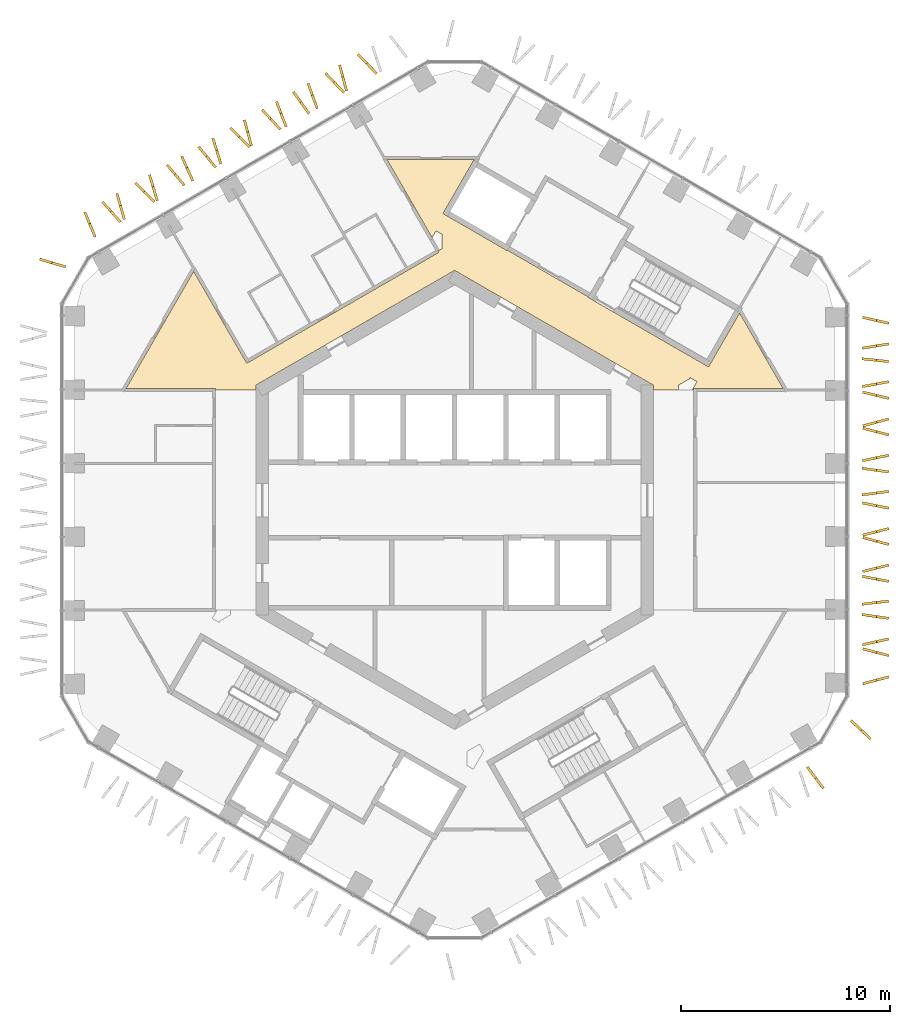
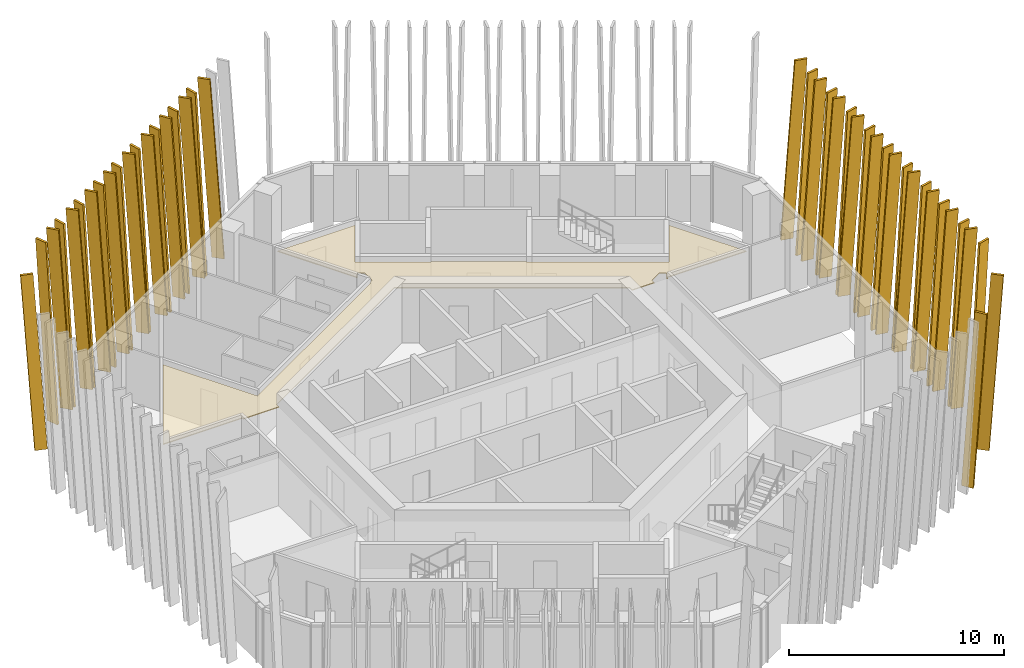
# One storey, part 20 of 21: 41 shading devices, 1 covering.
"""IFC4 building model written with IfcOpenShell, lengths in metres."""

from ifc_helpers import new_model, si_unit, direction, frame, origin, place, context, subcontext, project, spatial, polyline, outline, extrude, material, layer, layer_set, type_object, element, save


model = new_model("IFC4")

# Units and contexts
model_context = context("Model", 3, precision=1e-05, world=origin(), true_north=direction((0.0, 1.0)))
body_context = subcontext(model_context, "Body", "Model", "MODEL_VIEW")
ifc_project = project(units=[si_unit("LENGTHUNIT", "METRE"), si_unit("AREAUNIT", "SQUARE_METRE"), si_unit("VOLUMEUNIT", "CUBIC_METRE"), si_unit("PLANEANGLEUNIT", "RADIAN"), si_unit("MASSUNIT", "GRAM", prefix="KILO")], contexts=[model_context])

# Site, building, storey
site_placement = place(None, origin())
site = spatial("IfcSite", under=ifc_project, at=site_placement, CompositionType="ELEMENT")
building_placement = place(site_placement, origin())
building = spatial("IfcBuilding", under=site, at=building_placement, Name="Ayvan Gate Tower", CompositionType="ELEMENT")
storey_placement = place(building_placement, frame((0.0, 0.0, 152.699951171875)))
storey = spatial("IfcBuildingStorey", under=building, at=storey_placement, Name="L40", CompositionType="ELEMENT", Elevation=152.699951171875)

# Shading devices
ifc_material_1 = material(Name="Bronze anodised aluminium", Category="aluminium")
ifc_layer_1 = layer(ifc_material_1, 0.1201171875)
ifc_layer_set_1 = layer_set([ifc_layer_1], Name="Bronze anodised aluminium")
shading_device_type = type_object("IfcShadingDeviceType", Name="Bronze fin 600 x 120", PredefinedType="USERDEFINED", material=ifc_layer_set_1)
shading_device_1_placement = place(storey_placement, frame((-3.675537109375, 20.41259765625, 0.0), z_axis=(0.71529812517, 0.698819414095, 0.000136423842), x_axis=(-0.6988194206, 0.715298131825, 1.985e-08)))
element("IfcShadingDevice", 1, at=shading_device_1_placement, inside=storey, type_object=shading_device_type, Name="Bronze fin FG15.1.3", ObjectType="FIN", PredefinedType="USERDEFINED", context=body_context, shape_type="SweptSolid", body=[
    extrude(outline(polyline([(0.0, 0.0), (0.6001137403171588, 6.776263578034403e-21), (1.2884353944143938, 10.080078193227463), (0.6884922643073426, 10.080078217048227), (0.0, 0.0)])), origin(), (0.0, 0.0, -1.0), 0.1201171875),
])
shading_device_2_placement = place(storey_placement, frame((-5.1025390625, 19.558349609375, 0.0), z_axis=(0.965682482029, 0.259725469577, 0.000156062543), x_axis=(-0.259725472744, 0.965682493788, 3.065e-08)))
element("IfcShadingDevice", 2, at=shading_device_2_placement, inside=storey, type_object=shading_device_type, Name="Bronze fin FG15.1.4", ObjectType="FIN", PredefinedType="USERDEFINED", context=body_context, shape_type="SweptSolid", body=[
    extrude(outline(polyline([(0.0, 0.0), (0.6002184612634913, 3.3881317890172014e-21), (1.2885243035408172, 10.080078208259199), (0.68836925181657, 10.080078245050924), (0.0, 0.0)])), origin(), (0.0, 0.0, -1.0), 0.1201171875),
])
shading_device_3_placement = place(storey_placement, frame((-5.240966796875, 19.5009765625, 0.0), z_axis=(0.7265672316, 0.687095362955, 0.000142022151), x_axis=(-0.687095369889, 0.726567238924, 4.085e-08)))
element("IfcShadingDevice", 3, at=shading_device_3_placement, inside=storey, type_object=shading_device_type, Name="Bronze fin FG15.1.5", ObjectType="FIN", PredefinedType="USERDEFINED", context=body_context, shape_type="SweptSolid", body=[
    extrude(outline(polyline([(0.0, 0.0), (0.5999576663137665, 6.776263578034403e-21), (1.2883082041958989, 10.080078174031767), (0.6883409011953566, 10.080078223048616), (0.0, 0.0)])), origin(), (0.0, 0.0, -1.0), 0.1201171875),
])
shading_device_4_placement = place(storey_placement, frame((-6.508056640625, 18.720947265625, 0.0), z_axis=(0.94049248222, 0.33981446242, 0.000148382761), x_axis=(-0.339814466161, 0.940492492574, 0.0)))
element("IfcShadingDevice", 4, at=shading_device_4_placement, inside=storey, type_object=shading_device_type, Name="Bronze fin FG15.1.6", ObjectType="FIN", PredefinedType="USERDEFINED", context=body_context, shape_type="SweptSolid", body=[
    extrude(outline(polyline([(0.0, 0.0), (0.5999080150347974, 0.0), (1.2883568067095597, 10.080078235968779), (0.6884487916747624, 10.080078235968779), (0.0, 0.0)])), origin(), (0.0, 0.0, -1.0), 0.1201171875),
])
shading_device_5_placement = place(storey_placement, frame((-6.902587890625, 18.494140625, 0.0), z_axis=(0.810947372844, 0.585119077847, 0.000152369873), x_axis=(-0.58511908464, 0.810947382258, 0.0)))
element("IfcShadingDevice", 5, at=shading_device_5_placement, inside=storey, type_object=shading_device_type, Name="Bronze fin FG15.1.7", ObjectType="FIN", PredefinedType="USERDEFINED", context=body_context, shape_type="SweptSolid", body=[
    extrude(outline(polyline([(0.0, 0.0), (0.6000047306033248, 0.0), (1.2884239099911974, 10.080078242012464), (0.6884191793878727, 10.080078242012464), (0.0, 0.0)])), origin(), (0.0, 0.0, -1.0), 0.1201171875),
])
shading_device_6_placement = place(storey_placement, frame((-7.996337890625, 17.857666015625, 0.0), z_axis=(0.934307104896, 0.35646908706, 0.000153987742), x_axis=(-0.356469091286, 0.934307115973, 0.0)))
element("IfcShadingDevice", 6, at=shading_device_6_placement, inside=storey, type_object=shading_device_type, Name="Bronze fin FG15.1.8", ObjectType="FIN", PredefinedType="USERDEFINED", context=body_context, shape_type="SweptSolid", body=[
    extrude(outline(polyline([(0.0, 0.0), (0.59995997613293, -6.776263578034403e-21), (1.2883111920828831, 10.080078244510542), (0.6883512159499532, 10.080078244510542), (0.0, 0.0)])), origin(), (0.0, 0.0, -1.0), 0.1201171875),
])
shading_device_7_placement = place(storey_placement, frame((-8.279296875, 17.7412109375, 0.0), z_axis=(0.734624019722, 0.678474413119, 0.000142794727), x_axis=(-0.678474420036, 0.734624027211, 1.631e-09)))
element("IfcShadingDevice", 7, at=shading_device_7_placement, inside=storey, type_object=shading_device_type, Name="Bronze fin FG15.1.9", ObjectType="FIN", PredefinedType="USERDEFINED", context=body_context, shape_type="SweptSolid", body=[
    extrude(outline(polyline([(0.0, 0.0), (0.6002017396885919, -6.776263578034403e-21), (1.2884594044307012, 10.080078225667002), (0.6886026594802069, 10.080078227623925), (0.0, 0.0)])), origin(), (0.0, 0.0, -1.0), 0.1201171875),
])
shading_device_8_placement = place(storey_placement, frame((-9.647705078125, 16.932861328125, 0.0), z_axis=(0.964726243119, 0.263255115689, 0.000141071747), x_axis=(-0.263255118308, 0.964726252719, 0.0)))
element("IfcShadingDevice", 8, at=shading_device_8_placement, inside=storey, type_object=shading_device_type, Name="Bronze fin FG15.1.10", ObjectType="FIN", PredefinedType="USERDEFINED", context=body_context, shape_type="SweptSolid", body=[
    extrude(outline(polyline([(0.0, 0.0), (0.6000224625833214, 3.3881317890172014e-21), (1.2885003702094193, 10.080078225303021), (0.688477907626098, 10.080078225303021), (0.0, 0.0)])), origin(), (0.0, 0.0, -1.0), 0.1201171875),
])
shading_device_9_placement = place(storey_placement, frame((-9.7548828125, 16.90625, 0.0), z_axis=(0.710253258425, 0.703946225767, 0.000141862013), x_axis=(-0.703946232848, 0.710253265574, -2.0315e-08)))
element("IfcShadingDevice", 9, at=shading_device_9_placement, inside=storey, type_object=shading_device_type, Name="Bronze fin FG15.1.11", ObjectType="FIN", PredefinedType="USERDEFINED", context=body_context, shape_type="SweptSolid", body=[
    extrude(outline(polyline([(0.0, 0.0), (0.6000803673144419, 6.776263578034403e-21), (1.2883699774235873, 10.080078252602538), (0.688463011785311, 10.08007822822539), (0.0, 0.0)])), origin(), (0.0, 0.0, -1.0), 0.1201171875),
])
shading_device_10_placement = place(storey_placement, frame((-11.10986328125, 16.07666015625, 0.0), z_axis=(0.954859328915, 0.297058303903, 0.000161449016), x_axis=(-0.297058307776, 0.954859341359, 9.76e-09)))
element("IfcShadingDevice", 10, at=shading_device_10_placement, inside=storey, type_object=shading_device_type, Name="Bronze fin FG15.1.12", ObjectType="FIN", PredefinedType="USERDEFINED", context=body_context, shape_type="SweptSolid", body=[
    extrude(outline(polyline([(0.0, 0.0), (0.5998419383558529, 0.0), (1.2883780961518427, 10.080078243797992), (0.6883030378396034, 10.080078255509195), (0.0, 0.0)])), origin(), (0.0, 0.0, -1.0), 0.1201171875),
])
shading_device_11_placement = place(storey_placement, frame((-11.373779296875, 15.9296875, 0.0), z_axis=(0.77590237538, 0.630852980088, 0.000146264725), x_axis=(-0.630852986833, 0.775902383682, -2.309e-08)))
element("IfcShadingDevice", 11, at=shading_device_11_placement, inside=storey, type_object=shading_device_type, Name="Bronze fin FG15.1.13", ObjectType="FIN", PredefinedType="USERDEFINED", context=body_context, shape_type="SweptSolid", body=[
    extrude(outline(polyline([(0.0, 0.0), (0.5999677674007091, -6.776263578034403e-21), (1.2884471573229703, 10.080078262574004), (0.6883253730797726, 10.080078234863624), (0.0, 0.0)])), origin(), (0.0, 0.0, -1.0), 0.1201171875),
])
shading_device_12_placement = place(storey_placement, frame((-12.45556640625, 15.274169921875, 0.0), z_axis=(0.912252453436, 0.409628415964, 0.000148439193), x_axis=(-0.409628420472, 0.912252463489, -3.9925e-08)))
element("IfcShadingDevice", 12, at=shading_device_12_placement, inside=storey, type_object=shading_device_type, Name="Bronze fin FG15.1.14", ObjectType="FIN", PredefinedType="USERDEFINED", context=body_context, shape_type="SweptSolid", body=[
    extrude(outline(polyline([(0.0, 0.0), (0.5999404819670416, 6.776263578034403e-21), (1.2882103858869003, 10.080078287484756), (0.6883926148678607, 10.080078239584644), (0.0, 0.0)])), origin(), (0.0, 0.0, -1.0), 0.1201171875),
])
shading_device_13_placement = place(storey_placement, frame((-12.866943359375, 15.073974609375, 0.0), z_axis=(0.76467369088, 0.644417663389, 0.000146926863), x_axis=(-0.644417670343, 0.764673699136, -2.2864e-08)))
element("IfcShadingDevice", 13, at=shading_device_13_placement, inside=storey, type_object=shading_device_type, Name="Bronze fin FG15.1.15", ObjectType="FIN", PredefinedType="USERDEFINED", context=body_context, shape_type="SweptSolid", body=[
    extrude(outline(polyline([(0.0, 0.0), (0.5998376593820153, 1.3552527156068805e-20), (1.2882424083792545, 10.080078263256338), (0.6882474204644407, 10.08007823582327), (0.0, 0.0)])), origin(), (0.0, 0.0, -1.0), 0.1201171875),
])
shading_device_14_placement = place(storey_placement, frame((-14.15234375, 14.32373046875, 0.0), z_axis=(0.95827308601, 0.285854285742, 0.000141252611), x_axis=(-0.285854288597, 0.958273095569, 2.7538e-08)))
element("IfcShadingDevice", 14, at=shading_device_14_placement, inside=storey, type_object=shading_device_type, Name="Bronze fin FG15.1.16", ObjectType="FIN", PredefinedType="USERDEFINED", context=body_context, shape_type="SweptSolid", body=[
    extrude(outline(polyline([(0.0, 0.0), (0.6000216564814054, 0.0), (1.288294684574008, 10.080078190083604), (0.6883428167372797, 10.08007822312821), (0.0, 0.0)])), origin(), (0.0, 0.0, -1.0), 0.1201171875),
])
shading_device_15_placement = place(storey_placement, frame((-14.3017578125, 14.282958984375, 0.0), z_axis=(0.707818506164, 0.706394324059, 0.00014584), x_axis=(-0.706394331569, 0.707818513693, -2.0957e-08)))
element("IfcShadingDevice", 15, at=shading_device_15_placement, inside=storey, type_object=shading_device_type, Name="Bronze fin FG15.1.17", ObjectType="FIN", PredefinedType="USERDEFINED", context=body_context, shape_type="SweptSolid", body=[
    extrude(outline(polyline([(0.0, 0.0), (0.6000744075757722, -6.776263578034403e-21), (1.2883627086752216, 10.080078259198334), (0.6884611083537692, 10.080078234050454), (0.0, 0.0)])), origin(), (0.0, 0.0, -1.0), 0.1201171875),
])
shading_device_16_placement = place(storey_placement, frame((-15.724365234375, 13.421875, 0.0), z_axis=(0.962832932711, 0.27009762033, 0.000138490976), x_axis=(-0.27009762292, 0.962832941944, 0.0)))
element("IfcShadingDevice", 16, at=shading_device_16_placement, inside=storey, type_object=shading_device_type, Name="Bronze fin FG15.1.18", ObjectType="FIN", PredefinedType="USERDEFINED", context=body_context, shape_type="SweptSolid", body=[
    extrude(outline(polyline([(0.0, 0.0), (0.6001880847658333, 0.0), (1.2885012313171793, 10.080078221666696), (0.6883131465513459, 10.080078221666696), (0.0, 0.0)])), origin(), (0.0, 0.0, -1.0), 0.1201171875),
])
shading_device_17_placement = place(storey_placement, frame((-15.922119140625, 13.32080078125, 0.0), z_axis=(0.747005112534, 0.664818275534, 0.000149549295), x_axis=(-0.664818282968, 0.747005120887, 0.0)))
element("IfcShadingDevice", 17, at=shading_device_17_placement, inside=storey, type_object=shading_device_type, Name="Bronze fin FG15.1.19", ObjectType="FIN", PredefinedType="USERDEFINED", context=body_context, shape_type="SweptSolid", body=[
    extrude(outline(polyline([(0.0, 0.0), (0.6000523623824074, 0.0), (1.2883820298144042, 10.080078237720434), (0.6883296674319965, 10.080078237720434), (0.0, 0.0)])), origin(), (0.0, 0.0, -1.0), 0.1201171875),
])
shading_device_18_placement = place(storey_placement, frame((-17.11865234375, 12.5859375, 0.0), z_axis=(0.924294184911, 0.38168080363, 0.000154532451), x_axis=(-0.381680808186, 0.924294195948, -1.1998e-08)))
element("IfcShadingDevice", 18, at=shading_device_18_placement, inside=storey, type_object=shading_device_type, Name="Bronze fin FG15.1.20", ObjectType="FIN", PredefinedType="USERDEFINED", context=body_context, shape_type="SweptSolid", body=[
    extrude(outline(polyline([(0.0, 0.0), (0.6001008328299537, 0.0), (1.288312730080677, 10.080078260814608), (0.6884375550134059, 10.080078246417395), (0.0, 0.0)])), origin(), (0.0, 0.0, -1.0), 0.1201171875),
])
shading_device_19_placement = place(storey_placement, frame((-18.569580078125, 11.19921875, 0.0), z_axis=(0.281593462529, 0.959533792837, 0.000149217068), x_axis=(-0.959533803519, 0.281593465664, 0.0)))
element("IfcShadingDevice", 19, at=shading_device_19_placement, inside=storey, type_object=shading_device_type, Name="Bronze fin FG15.2.21", ObjectType="FIN", PredefinedType="USERDEFINED", context=body_context, shape_type="SweptSolid", body=[
    extrude(outline(polyline([(0.0, 0.0), (0.5999617643888965, 3.3881317890172014e-21), (1.2882805283216947, 10.08007823722017), (0.6883187639327983, 10.08007823722017), (0.0, 0.0)])), origin(), (0.0, 0.0, -1.0), 0.1201171875),
])
shading_device_20_placement = place(storey_placement, frame((16.798583984375, -12.785888671875, 0.0), z_axis=(-0.79912026358, -0.601171175886, 0.000147038204), x_axis=(0.601171182387, -0.799120272216, 2.3902e-08)))
element("IfcShadingDevice", 20, at=shading_device_20_placement, inside=storey, type_object=shading_device_type, Name="Bronze fin FG15.7.83", ObjectType="FIN", PredefinedType="USERDEFINED", context=body_context, shape_type="SweptSolid", body=[
    extrude(outline(polyline([(0.0, 0.0), (0.6000984429202257, 6.776263578034403e-21), (1.2882362158563514, 10.080078203175711), (0.6882845432443256, 10.080078231859021), (0.0, 0.0)])), origin(), (0.0, 0.0, -1.0), 0.1201171875),
])
shading_device_21_placement = place(storey_placement, frame((18.89501953125, -10.575439453125, 0.0), z_axis=(-0.686049787571, -0.72755457899, 0.000153507697), x_axis=(0.727554587562, -0.686049795654, 0.0)))
element("IfcShadingDevice", 21, at=shading_device_21_placement, inside=storey, type_object=shading_device_type, Name="Bronze fin FG15.8.84", ObjectType="FIN", PredefinedType="USERDEFINED", context=body_context, shape_type="SweptSolid", body=[
    extrude(outline(polyline([(0.0, 0.0), (0.5999871967857003, 6.776263578034403e-21), (1.2884462635924696, 10.080078243766573), (0.6884590668067694, 10.080078243766573), (0.0, 0.0)])), origin(), (0.0, 0.0, -1.0), 0.1201171875),
])
shading_device_22_placement = place(storey_placement, frame((19.519287109375, -8.836669921875, 0.0), z_axis=(0.255534649499, -0.966799884093, 0.000164385063), x_axis=(0.966799897156, 0.255534652952, 0.0)))
element("IfcShadingDevice", 22, at=shading_device_22_placement, inside=storey, type_object=shading_device_type, Name="Bronze fin FG15.9.85", ObjectType="FIN", PredefinedType="USERDEFINED", context=body_context, shape_type="SweptSolid", body=[
    extrude(outline(polyline([(0.0, 0.0), (0.5999981244375796, 6.776263578034403e-21), (1.2883127271106352, 10.080078261194203), (0.6883146026730554, 10.080078261194203), (0.0, 0.0)])), origin(), (0.0, 0.0, -1.0), 0.1201171875),
])
shading_device_23_placement = place(storey_placement, frame((19.487548828125, -7.169921875, 0.0), z_axis=(-0.252479867327, -0.967602134575, 0.00016050019), x_axis=(0.967602147037, -0.252479870584, -3.1594e-08)))
element("IfcShadingDevice", 23, at=shading_device_23_placement, inside=storey, type_object=shading_device_type, Name="Bronze fin FG15.9.86", ObjectType="FIN", PredefinedType="USERDEFINED", context=body_context, shape_type="SweptSolid", body=[
    extrude(outline(polyline([(0.0, 0.0), (0.6000361096889055, -6.776263578034403e-21), (1.2884030202644317, 10.080078295538828), (0.6884285511689304, 10.080078257625656), (0.0, 0.0)])), origin(), (0.0, 0.0, -1.0), 0.1201171875),
])
shading_device_24_placement = place(storey_placement, frame((19.50146484375, -6.971923828125, 0.0), z_axis=(0.213223570749, -0.977003422461, 0.000146206819), x_axis=(0.977003432903, 0.213223573028, 0.0)))
element("IfcShadingDevice", 24, at=shading_device_24_placement, inside=storey, type_object=shading_device_type, Name="Bronze fin FG15.9.87", ObjectType="FIN", PredefinedType="USERDEFINED", context=body_context, shape_type="SweptSolid", body=[
    extrude(outline(polyline([(0.0, 0.0), (0.599979100260721, -3.3881317890172014e-21), (1.2882401255564395, 10.080078232738066), (0.6882610252957185, 10.080078232738066), (0.0, 0.0)])), origin(), (0.0, 0.0, -1.0), 0.1201171875),
])
shading_device_25_placement = place(storey_placement, frame((19.46142578125, -5.52978515625, 0.0), z_axis=(-0.146290569416, -0.989241652991, 0.000145900909), x_axis=(0.989241663521, -0.146290570969, 2.9367e-08)))
element("IfcShadingDevice", 25, at=shading_device_25_placement, inside=storey, type_object=shading_device_type, Name="Bronze fin FG15.9.88", ObjectType="FIN", PredefinedType="USERDEFINED", context=body_context, shape_type="SweptSolid", body=[
    extrude(outline(polyline([(0.0, 0.0), (0.5999425778801604, 1.6940658945086007e-21), (1.2883033484162048, 10.08007819445399), (0.6883250550646166, 10.080078229692162), (0.0, 0.0)])), origin(), (0.0, 0.0, -1.0), 0.1201171875),
])
shading_device_26_placement = place(storey_placement, frame((19.470947265625, -5.03759765625, 0.0), z_axis=(0.115566216238, -0.993299767032, 0.000149925334), x_axis=(0.993299778196, 0.115566217537, 0.0)))
element("IfcShadingDevice", 26, at=shading_device_26_placement, inside=storey, type_object=shading_device_type, Name="Bronze fin FG15.9.89", ObjectType="FIN", PredefinedType="USERDEFINED", context=body_context, shape_type="SweptSolid", body=[
    extrude(outline(polyline([(0.0, 0.0), (0.5999671787980725, 1.6940658945086007e-21), (1.2883478826972519, 10.080078238288014), (0.6883807038991794, 10.080078238288014), (0.0, 0.0)])), origin(), (0.0, 0.0, -1.0), 0.1201171875),
])
shading_device_27_placement = place(storey_placement, frame((19.469482421875, -3.70654296875, 0.0), z_axis=(-0.187579526683, -0.982249408702, 0.000142386363), x_axis=(0.982249418659, -0.187579528584, 0.0)))
element("IfcShadingDevice", 27, at=shading_device_27_placement, inside=storey, type_object=shading_device_type, Name="Bronze fin FG15.9.90", ObjectType="FIN", PredefinedType="USERDEFINED", context=body_context, shape_type="SweptSolid", body=[
    extrude(outline(polyline([(0.0, 0.0), (0.6000059226856373, 0.0), (1.2882224713026367, 10.080078227181131), (0.6882165486169994, 10.080078227181131), (0.0, 0.0)])), origin(), (0.0, 0.0, -1.0), 0.1201171875),
])
shading_device_28_placement = place(storey_placement, frame((19.51171875, -3.47509765625, 0.0), z_axis=(0.238656017769, -0.971104154142, 0.000164286963), x_axis=(0.971104167249, 0.238656020983, -4.0431e-08)))
element("IfcShadingDevice", 28, at=shading_device_28_placement, inside=storey, type_object=shading_device_type, Name="Bronze fin FG15.9.91", ObjectType="FIN", PredefinedType="USERDEFINED", context=body_context, shape_type="SweptSolid", body=[
    extrude(outline(polyline([(0.0, 0.0), (0.6000678895311597, 6.776263578034403e-21), (1.2883553471864777, 10.080078313120909), (0.6884662780035276, 10.08007826460572), (0.0, 0.0)])), origin(), (0.0, 0.0, -1.0), 0.1201171875),
])
shading_device_29_placement = place(storey_placement, frame((19.48974609375, -1.851318359375, 0.0), z_axis=(-0.258776757555, -0.965937142195, 0.000164554121), x_axis=(0.965937155273, -0.258776761059, 0.0)))
element("IfcShadingDevice", 29, at=shading_device_29_placement, inside=storey, type_object=shading_device_type, Name="Bronze fin FG15.9.92", ObjectType="FIN", PredefinedType="USERDEFINED", context=body_context, shape_type="SweptSolid", body=[
    extrude(outline(polyline([(0.0, 0.0), (0.6000285221314199, 0.0), (1.2883279230989633, 10.080078261474478), (0.6882994009675433, 10.080078261474478), (0.0, 0.0)])), origin(), (0.0, 0.0, -1.0), 0.1201171875),
])
shading_device_30_placement = place(storey_placement, frame((19.513916015625, -1.735595703125, 0.0), z_axis=(0.243684115585, -0.969854643664, 0.000148241139), x_axis=(0.96985465432, 0.243684118263, 0.0)))
element("IfcShadingDevice", 30, at=shading_device_30_placement, inside=storey, type_object=shading_device_type, Name="Bronze fin FG15.9.93", ObjectType="FIN", PredefinedType="USERDEFINED", context=body_context, shape_type="SweptSolid", body=[
    extrude(outline(polyline([(0.0, 0.0), (0.6001221393404992, 0.0), (1.2884731804081562, 10.080078235757057), (0.6883510410676569, 10.080078235757057), (0.0, 0.0)])), origin(), (0.0, 0.0, -1.0), 0.1201171875),
])
shading_device_31_placement = place(storey_placement, frame((19.471435546875, -0.199462890625, 0.0), z_axis=(-0.196507316771, -0.980502346622, 0.000150744823), x_axis=(0.980502357763, -0.196507319004, 0.0)))
element("IfcShadingDevice", 31, at=shading_device_31_placement, inside=storey, type_object=shading_device_type, Name="Bronze fin FG15.9.94", ObjectType="FIN", PredefinedType="USERDEFINED", context=body_context, shape_type="SweptSolid", body=[
    extrude(outline(polyline([(0.0, 0.0), (0.600079032540675, 3.3881317890172014e-21), (1.2884959105644351, 10.080078239529858), (0.6884168780237604, 10.080078239529858), (0.0, 0.0)])), origin(), (0.0, 0.0, -1.0), 0.1201171875),
])
shading_device_32_placement = place(storey_placement, frame((19.4736328125, 0.1865234375, 0.0), z_axis=(0.126363499477, -0.991983993477, 0.000150616919), x_axis=(0.991984004729, 0.126363500906, -2.6536e-08)))
element("IfcShadingDevice", 32, at=shading_device_32_placement, inside=storey, type_object=shading_device_type, Name="Bronze fin FG15.9.95", ObjectType="FIN", PredefinedType="USERDEFINED", context=body_context, shape_type="SweptSolid", body=[
    extrude(outline(polyline([(0.0, 0.0), (0.5997650646499421, 3.3881317890172014e-21), (1.288351030580527, 10.08007827352286), (0.688312931871592, 10.08007824168527), (0.0, 0.0)])), origin(), (0.0, 0.0, -1.0), 0.1201171875),
])
shading_device_33_placement = place(storey_placement, frame((19.45947265625, 1.453369140625, 0.0), z_axis=(-0.134695525694, -0.990887024368, 0.000142468688), x_axis=(0.990887034424, -0.134695527061, 0.0)))
element("IfcShadingDevice", 33, at=shading_device_33_placement, inside=storey, type_object=shading_device_type, Name="Bronze fin FG15.9.96", ObjectType="FIN", PredefinedType="USERDEFINED", context=body_context, shape_type="SweptSolid", body=[
    extrude(outline(polyline([(0.0, 0.0), (0.5999497432323828, 0.0), (1.2884032071816338, 10.080078227299325), (0.688453463949251, 10.080078227299325), (0.0, 0.0)])), origin(), (0.0, 0.0, -1.0), 0.1201171875),
])
shading_device_34_placement = place(storey_placement, frame((19.497314453125, 1.818603515625, 0.0), z_axis=(0.202645968279, -0.979252053542, 0.000164845415), x_axis=(0.979252066847, 0.202645971031, -6.795e-09)))
element("IfcShadingDevice", 34, at=shading_device_34_placement, inside=storey, type_object=shading_device_type, Name="Bronze fin FG15.9.97", ObjectType="FIN", PredefinedType="USERDEFINED", context=body_context, shape_type="SweptSolid", body=[
    extrude(outline(polyline([(0.0, 0.0), (0.6000921431824042, 0.0), (1.288296621484317, 10.080078270712407), (0.6884435535135452, 10.08007826255845), (0.0, 0.0)])), origin(), (0.0, 0.0, -1.0), 0.1201171875),
])
shading_device_35_placement = place(storey_placement, frame((19.48583984375, 3.370849609375, 0.0), z_axis=(-0.246984973913, -0.969019300453, 0.000134205812), x_axis=(0.969019309179, -0.246984976139, -6.745e-09)))
element("IfcShadingDevice", 35, at=shading_device_35_placement, inside=storey, type_object=shading_device_type, Name="Bronze fin FG15.9.98", ObjectType="FIN", PredefinedType="USERDEFINED", context=body_context, shape_type="SweptSolid", body=[
    extrude(outline(polyline([(0.0, 0.0), (0.5998913221854039, 0.0), (1.2883593718244117, 10.080078224467087), (0.6882314726592278, 10.080078216373005), (0.0, 0.0)])), origin(), (0.0, 0.0, -1.0), 0.1201171875),
])
shading_device_36_placement = place(storey_placement, frame((19.5205078125, 3.482666015625, 0.0), z_axis=(0.258207170721, -0.966089556013, 0.000163555033), x_axis=(0.966089568934, 0.258207174179, 3.2149e-08)))
element("IfcShadingDevice", 36, at=shading_device_36_placement, inside=storey, type_object=shading_device_type, Name="Bronze fin FG15.9.99", ObjectType="FIN", PredefinedType="USERDEFINED", context=body_context, shape_type="SweptSolid", body=[
    extrude(outline(polyline([(0.0, 0.0), (0.5999653789678367, -6.776263578034403e-21), (1.2882518047114357, 10.080078218406518), (0.6883494646044824, 10.080078256980862), (0.0, 0.0)])), origin(), (0.0, 0.0, -1.0), 0.1201171875),
])
shading_device_37_placement = place(storey_placement, frame((19.48193359375, 5.098876953125, 0.0), z_axis=(-0.234580865981, -0.972096598141, 0.000145597133), x_axis=(0.972096608445, -0.234580868463, 2.8797e-08)))
element("IfcShadingDevice", 37, at=shading_device_37_placement, inside=storey, type_object=shading_device_type, Name="Bronze fin FG15.9.100", ObjectType="FIN", PredefinedType="USERDEFINED", context=body_context, shape_type="SweptSolid", body=[
    extrude(outline(polyline([(0.0, 0.0), (0.5999651801296056, 3.3881317890172014e-21), (1.288289188683555, 10.080078194742622), (0.6882667378341095, 10.080078229298588), (0.0, 0.0)])), origin(), (0.0, 0.0, -1.0), 0.1201171875),
])
shading_device_38_placement = place(storey_placement, frame((19.489013671875, 5.361083984375, 0.0), z_axis=(0.179422456372, -0.983772107727, 0.000149022661), x_axis=(0.983772118651, 0.179422458364, 0.0)))
element("IfcShadingDevice", 38, at=shading_device_38_placement, inside=storey, type_object=shading_device_type, Name="Bronze fin FG15.9.101", ObjectType="FIN", PredefinedType="USERDEFINED", context=body_context, shape_type="SweptSolid", body=[
    extrude(outline(polyline([(0.0, 0.0), (0.6000698942959176, 0.0), (1.2885133473479065, 10.080078236927948), (0.688443453051989, 10.080078236927948), (0.0, 0.0)])), origin(), (0.0, 0.0, -1.0), 0.1201171875),
])
shading_device_39_placement = place(storey_placement, frame((19.455810546875, 6.6875, 0.0), z_axis=(-0.103371227297, -0.994642832735, 0.000157021053), x_axis=(0.994642844997, -0.103371228572, 0.0)))
element("IfcShadingDevice", 39, at=shading_device_39_placement, inside=storey, type_object=shading_device_type, Name="Bronze fin FG15.9.102", ObjectType="FIN", PredefinedType="USERDEFINED", context=body_context, shape_type="SweptSolid", body=[
    extrude(outline(polyline([(0.0, 0.0), (0.5998934094799064, 1.6940658945086007e-21), (1.2882317835910662, 10.080078249265245), (0.6883383741111596, 10.080078249265245), (0.0, 0.0)])), origin(), (0.0, 0.0, -1.0), 0.1201171875),
])
shading_device_40_placement = place(storey_placement, frame((19.482666015625, 7.193603515625, 0.0), z_axis=(0.158887032101, -0.98729675645, 0.000160414866), x_axis=(0.987296769154, 0.158887034141, -2.7041e-08)))
element("IfcShadingDevice", 40, at=shading_device_40_placement, inside=storey, type_object=shading_device_type, Name="Bronze fin FG15.9.103", ObjectType="FIN", PredefinedType="USERDEFINED", context=body_context, shape_type="SweptSolid", body=[
    extrude(outline(polyline([(0.0, 0.0), (0.5998896253131181, 1.6940658945086007e-21), (1.288351391086081, 10.080078289533747), (0.6881819357428618, 10.08007825708252), (0.0, 0.0)])), origin(), (0.0, 0.0, -1.0), 0.1201171875),
])
shading_device_41_placement = place(storey_placement, frame((19.478271484375, 8.669677734375, 0.0), z_axis=(-0.221990457562, -0.975048829182, 0.000132143959), x_axis=(0.975048837694, -0.221990459504, -2.6216e-08)))
element("IfcShadingDevice", 41, at=shading_device_41_placement, inside=storey, type_object=shading_device_type, Name="Bronze fin FG15.9.104", ObjectType="FIN", PredefinedType="USERDEFINED", context=body_context, shape_type="SweptSolid", body=[
    extrude(outline(polyline([(0.0, 0.0), (0.5999569838879317, 0.0), (1.2881936308979094, 10.080078246780365), (0.6882908438995048, 10.080078215325043), (0.0, 0.0)])), origin(), (0.0, 0.0, -1.0), 0.1201171875),
])

# Covering
ifc_material_2 = material(Name="Plasterboard suspended ceiling")
ifc_layer_2 = layer(ifc_material_2, 0.050048828125)
ifc_layer_set_2 = layer_set([ifc_layer_2], Name="Plasterboard suspended ceiling")
covering_type = type_object("IfcCoveringType", Name="CT-SUSP-50", PredefinedType="CEILING", material=ifc_layer_set_2)
covering_placement = place(storey_placement, frame((0.0, 0.0, 2.699951171875)))
element("IfcCovering", 42, at=covering_placement, inside=storey, type_object=covering_type, Name="Ceiling Gallery L40", PredefinedType="CEILING", context=body_context, shape_type="SweptSolid", body=[
    extrude(outline(polyline([(-9.8037109375, 6.608642578125), (-9.803466796875, 6.608642578125), (-0.756591796875, 11.831787109375), (-0.7939453125, 11.89697265625), (-0.60009765625, 12.0087890625), (-0.60009765625, 12.6552734375), (-0.53955078125, 12.6552734375), (-0.890380859375, 12.85791015625), (-1.076416015625, 12.535888671875), (-3.22705078125, 16.260986328125), (0.929931640625, 16.260986328125), (-0.55615234375, 13.686767578125), (-0.339599609375, 13.561767578125), (2.518310546875, 11.91162109375), (2.53076171875, 11.933349609375), (6.384521484375, 9.70849609375), (6.3720703125, 9.686767578125), (6.588623046875, 9.561767578125), (12.131103515625, 6.36181640625), (12.24609375, 6.56103515625), (13.617431640625, 8.935791015625), (15.69580078125, 5.335693359375), (11.425048828125, 5.335693359375), (11.425048828125, 5.2607421875), (11.351318359375, 5.2607421875), (11.42138671875, 5.382080078125), (11.580322265625, 5.65771484375), (11.2294921875, 5.8603515625), (11.259765625, 5.80810546875), (10.699951171875, 5.48486328125), (10.699951171875, 5.2607421875), (9.5, 5.2607421875), (9.5, 5.48486328125), (0.0, 10.9697265625), (-9.5, 5.48486328125), (-9.5, 5.2607421875), (-11.425048828125, 5.2607421875), (-11.425048828125, 5.335693359375), (-15.69580078125, 5.335693359375), (-12.46875, 10.92529296875), (-9.93359375, 6.53369140625), (-9.8037109375, 6.608642578125)])), origin(), (0.0, 0.0, 1.0), 0.050048828125),
])

save(model, "model.ifc")
